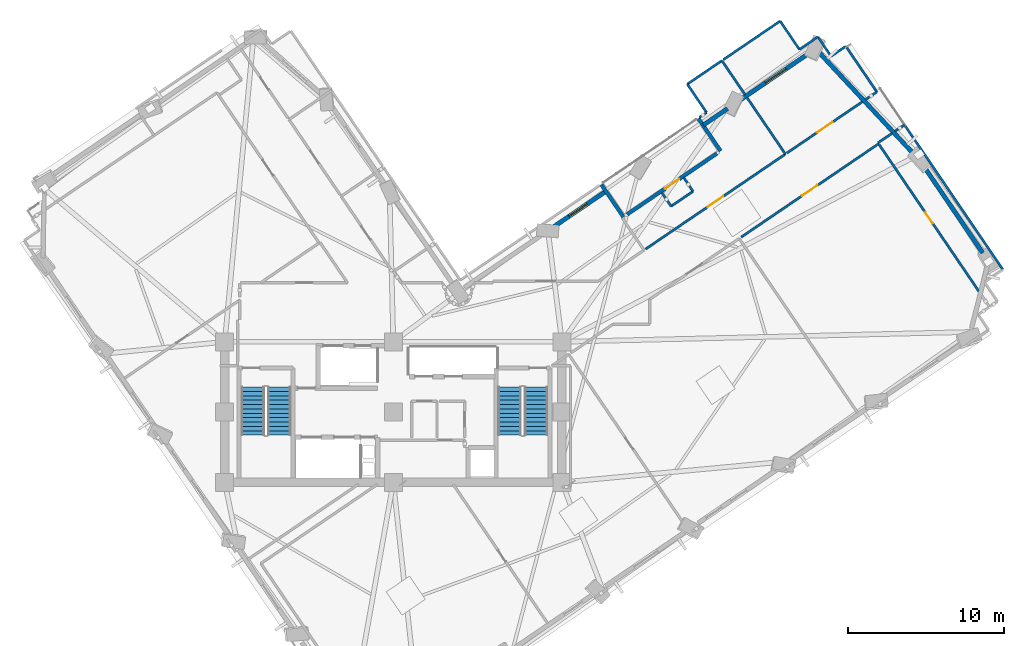
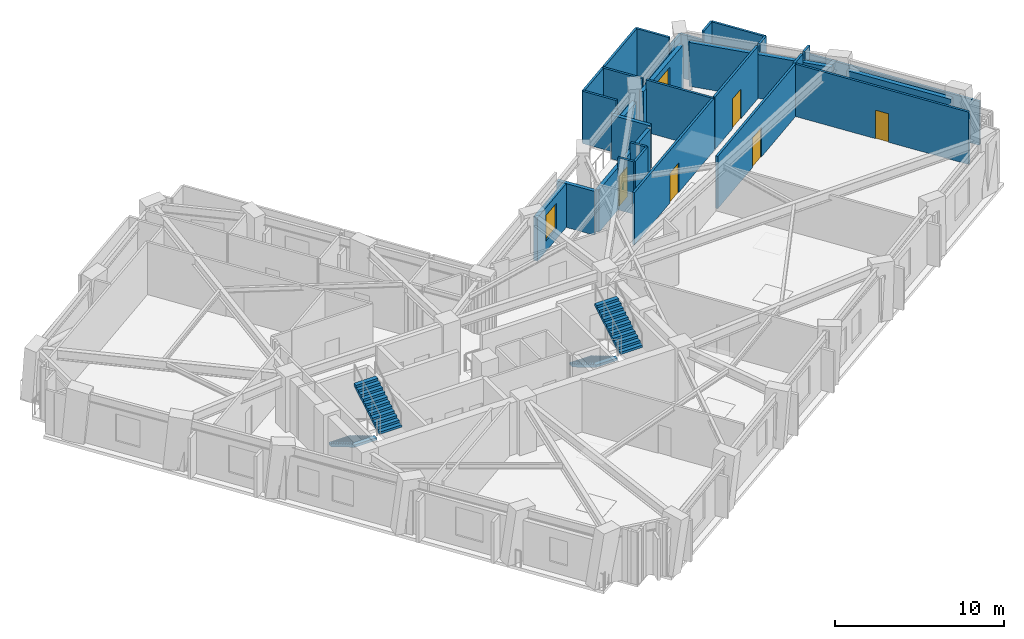
# One storey, part 11 of 16: 30 walls, 5 doors, 4 stair flights, 2 windows, 7 openings, 2 elements without a shape of their own.
"""IFC4 building model written with IfcOpenShell, lengths in metres."""

from ifc_helpers import new_model, si_unit, direction, frame, frame_2d, origin, place, context, subcontext, project, spatial, polyline, rectangle, outline, extrude, material, layer, layer_set, type_object, element, fill, aggregate, save


model = new_model("IFC4")

# Units and contexts
model_context = context("Model", 3, precision=1e-05, world=origin(), true_north=direction((0.0, 1.0)))
body_context = subcontext(model_context, "Body", "Model", "MODEL_VIEW")
ifc_project = project(units=[si_unit("LENGTHUNIT", "METRE"), si_unit("AREAUNIT", "SQUARE_METRE"), si_unit("VOLUMEUNIT", "CUBIC_METRE"), si_unit("PLANEANGLEUNIT", "RADIAN"), si_unit("MASSUNIT", "GRAM", prefix="KILO")], contexts=[model_context])

# Site, building, storey
site_placement = place(None, origin())
site = spatial("IfcSite", under=ifc_project, at=site_placement, CompositionType="ELEMENT")
building_placement = place(site_placement, origin())
building = spatial("IfcBuilding", under=site, at=building_placement, Name="Gaonmaruhae Medical Tower", CompositionType="ELEMENT")
storey_placement = place(building_placement, frame((0.0, 0.0, 169.800048828125)))
storey = spatial("IfcBuildingStorey", under=building, at=storey_placement, Name="L40", CompositionType="ELEMENT", Elevation=169.800048828125)

# Wall, opening, door
ifc_material_1 = material(Name="Precast concrete C45/55", Category="concrete")
ifc_layer_1 = layer(ifc_material_1, 0.239990234375)
ifc_layer_set_1 = layer_set([ifc_layer_1], Name="Precast concrete C45/55")
wall_type_1 = type_object("IfcWallType", Name="EW-240 Ribbon & Shelter Insulated Precast Wall", PredefinedType="SOLIDWALL", material=ifc_layer_set_1)
wall_1_placement = place(storey_placement, frame((39.771484375, 24.955810546875, 0.0), z_axis=(0.0, 0.0, 1.0), x_axis=(0.827085007345, 0.562076854731, 0.0)))
wall_1 = element("IfcWall", 1, at=wall_1_placement, inside=storey, type_object=wall_type_1, Name="L40 Recessed Terrace Enclosure Wall TERB", PredefinedType="SOLIDWALL", context=body_context, shape_type="SweptSolid", body=[
    extrude(rectangle(XDim=6.960205078125, YDim=0.239990234375, at=frame_2d((3.47998046875, 0.0))), origin(), (0.0, 0.0, 1.0), 3.06494140625),
])
opening_1_placement = place(wall_1_placement, frame((2.929931640625, 0.0, 0.0)))
opening_1 = element("IfcOpeningElement", 2, at=opening_1_placement, cuts=wall_1, Name="Opening TD-01", PredefinedType="OPENING", context=body_context, shape_type="SweptSolid", body=[
    extrude(rectangle(XDim=1.10009765625, YDim=2.14990234375, at=frame_2d((0.550048828125, 1.074951171875))), frame((0.0, 0.1298828125, 0.0), z_axis=(0.0, -1.0, 0.0), x_axis=(1.0, 0.0, 0.0)), (0.0, 0.0, 1.0), 0.260009765625),
])
ifc_material_2 = material(Name="Anodised aluminium and toughened safety glass", Category="aluminium")
door_type_1 = type_object("IfcDoorType", Name="TD-01 Terrace & Sky Garden Glazed Door 1100x2150", OperationType="NOTDEFINED", PredefinedType="DOOR", material=ifc_material_2)
door_1_placement = place(opening_1_placement, origin())
door_1 = element("IfcDoor", 3, at=door_1_placement, inside=storey, type_object=door_type_1, Name="L40 Outdoor Terrace Access Door SLB-L40-TER", OperationType="SINGLE_SWING_RIGHT", OverallHeight=2.14990234375, OverallWidth=1.10009765625, PredefinedType="DOOR", context=body_context, shape_type="SweptSolid", body=[
    extrude(rectangle(XDim=1.10009765625, YDim=2.14990234375, at=frame_2d((0.550048828125, 1.074951171875))), frame((0.0, 0.02490234375, 0.0), z_axis=(0.0, -1.0, 0.0), x_axis=(1.0, 0.0, 0.0)), (0.0, 0.0, 1.0), 0.050048828125),
])
fill(opening_1, door_1)

# Walls
wall_2_placement = place(storey_placement, frame((38.134765625, 26.8662109375, 0.0), z_axis=(0.0, 0.0, 1.0), x_axis=(0.562115011853, -0.827059074945, 0.0)))
element("IfcWall", 4, at=wall_2_placement, inside=storey, type_object=wall_type_1, Name="L40 Recessed Terrace Enclosure Wall TERL", PredefinedType="SOLIDWALL", context=body_context, shape_type="SweptSolid", body=[
    extrude(rectangle(XDim=2.5, YDim=0.239990234375, at=frame_2d((1.25, 0.0))), origin(), (0.0, 0.0, 1.0), 3.1650390625),
])
wall_3_placement = place(storey_placement, frame((45.759521484375, 29.025390625, 0.0), z_axis=(0.0, 0.0, 1.0), x_axis=(-0.562048206199, 0.827104475812, 0.0)))
element("IfcWall", 5, at=wall_3_placement, inside=storey, type_object=wall_type_1, Name="L40 Recessed Terrace Enclosure Wall TERR", PredefinedType="SOLIDWALL", context=body_context, shape_type="SweptSolid", body=[
    extrude(rectangle(XDim=2.499755859375, YDim=0.239990234375, at=frame_2d((1.25, 0.0))), origin(), (0.0, 0.0, 1.0), 3.1650390625),
])
ifc_layer_2 = layer(ifc_material_1, 0.280029296875)
ifc_layer_set_2 = layer_set([ifc_layer_2], Name="Precast concrete C45/55")
wall_type_2 = type_object("IfcWallType", Name="EW-280 Upper Precast Masonry-Frame Facade Wall", PredefinedType="SOLIDWALL", material=ifc_layer_set_2)
wall_4_placement = place(storey_placement, frame((58.712646484375, 28.144287109375, 0.0), z_axis=(0.0, 0.0, 1.0), x_axis=(0.562091314576, -0.827075180427, 0.0)))
element("IfcWall", 6, at=wall_4_placement, inside=storey, type_object=wall_type_2, Name="L40 Precast Masonry-Frame Wall E01-E02", PredefinedType="SOLIDWALL", context=body_context, shape_type="SweptSolid", body=[
    extrude(rectangle(XDim=6.840087890625, YDim=0.280029296875, at=frame_2d((3.419921875, 0.0))), origin(), (0.0, 0.0, 1.0), 3.1650390625),
])
wall_5_placement = place(storey_placement, frame((52.07177734375, 35.335205078125, 0.0), z_axis=(0.0, 0.0, 1.0), x_axis=(0.681878154304, -0.731465776837, 0.0)))
element("IfcWall", 7, at=wall_5_placement, inside=storey, type_object=wall_type_2, Name="L40 Precast Masonry-Frame Wall E02-E03", PredefinedType="SOLIDWALL", context=body_context, shape_type="SweptSolid", body=[
    extrude(rectangle(XDim=8.837646484375, YDim=0.280029296875, at=frame_2d((4.4189453125, 0.0))), origin(), (0.0, 0.0, 1.0), 3.1650390625),
])

# Wall, opening, window
wall_6_placement = place(storey_placement, frame((47.005615234375, 32.2783203125, 0.0), z_axis=(0.0, 0.0, 1.0), x_axis=(0.827076028717, 0.562090066379, 0.0)))
wall_6 = element("IfcWall", 8, at=wall_6_placement, inside=storey, type_object=wall_type_2, Name="L40 Precast Masonry-Frame Wall E03-EN01", PredefinedType="SOLIDWALL", context=body_context, shape_type="SweptSolid", body=[
    extrude(rectangle(XDim=5.404541015625, YDim=0.280029296875, at=frame_2d((2.7021484375, 0.0))), origin(), (0.0, 0.0, 1.0), 3.1650390625),
])
opening_2_placement = place(wall_6_placement, frame((1.98291015625, 0.0, 0.75)))
opening_2 = element("IfcOpeningElement", 9, at=opening_2_placement, cuts=wall_6, Name="Opening WN-01", PredefinedType="OPENING", context=body_context, shape_type="SweptSolid", body=[
    extrude(rectangle(XDim=1.60009765625, YDim=1.949951171875, at=frame_2d((0.800048828125, 0.97509765625))), frame((0.0, 0.14990234375, 0.0), z_axis=(0.0, -1.0, 0.0), x_axis=(1.0, 0.0, 0.0)), (0.0, 0.0, 1.0), 0.300048828125),
])
ifc_material_3 = material(Name="Anodised aluminium and Low-E double glazing", Category="aluminium")
window_type_1 = type_object("IfcWindowType", Name="WN-01 Ward Punched Acoustic Window 1600x1950", PartitioningType="SINGLE_PANEL", PredefinedType="WINDOW", material=ifc_material_3)
window_1_placement = place(opening_2_placement, origin())
window_1 = element("IfcWindow", 10, at=window_1_placement, inside=storey, type_object=window_type_1, Name="L40 Modular Facade Window E03", OverallHeight=1.949951171875, OverallWidth=1.60009765625, PartitioningType="SINGLE_PANEL", PredefinedType="WINDOW", context=body_context, shape_type="SweptSolid", body=[
    extrude(rectangle(XDim=1.60009765625, YDim=1.949951171875, at=frame_2d((0.800048828125, 0.97509765625))), frame((0.0, 0.030029296875, 0.0), z_axis=(0.0, -1.0, 0.0), x_axis=(1.0, 0.0, 0.0)), (0.0, 0.0, 1.0), 0.06005859375),
])
fill(opening_2, window_1)

# Wall
wall_7_placement = place(storey_placement, frame((44.65771484375, 30.6826171875, 0.0), z_axis=(0.0, 0.0, 1.0), x_axis=(0.82709578115, 0.562061000964, 0.0)))
element("IfcWall", 11, at=wall_7_placement, inside=storey, type_object=wall_type_2, Name="L40 Precast Masonry-Frame Wall EN01-EN02", PredefinedType="SOLIDWALL", context=body_context, shape_type="SweptSolid", body=[
    extrude(rectangle(XDim=1.87744140625, YDim=0.280029296875, at=frame_2d((0.938720703125, 0.0))), origin(), (0.0, 0.0, 1.0), 3.06494140625),
])

# Wall, opening, window
wall_8_placement = place(storey_placement, frame((35.109375, 24.193603515625, 0.0), z_axis=(0.0, 0.0, 1.0), x_axis=(0.827087163795, 0.562073681545, 0.0)))
wall_8 = element("IfcWall", 12, at=wall_8_placement, inside=storey, type_object=wall_type_2, Name="L40 Precast Masonry-Frame Wall EN02-EN03", PredefinedType="SOLIDWALL", context=body_context, shape_type="SweptSolid", body=[
    extrude(rectangle(XDim=3.984375, YDim=0.280029296875, at=frame_2d((1.9921875, 0.0))), origin(), (0.0, 0.0, 1.0), 3.1650390625),
])
opening_3_placement = place(wall_8_placement, frame((1.145263671875, 0.0, 0.75)))
opening_3 = element("IfcOpeningElement", 13, at=opening_3_placement, cuts=wall_8, Name="Opening WN-03", PredefinedType="OPENING", context=body_context, shape_type="SweptSolid", body=[
    extrude(rectangle(XDim=1.39990234375, YDim=1.85009765625, at=frame_2d((0.699951171875, 0.925048828125))), frame((0.0, 0.14990234375, 0.0), z_axis=(0.0, -1.0, 0.0), x_axis=(1.0, 0.0, 0.0)), (0.0, 0.0, 1.0), 0.300048828125),
])
window_type_2 = type_object("IfcWindowType", Name="WN-03 Isolation Ward Punched Window 1400x1850", PartitioningType="SINGLE_PANEL", PredefinedType="WINDOW", material=ifc_material_3)
window_2_placement = place(opening_3_placement, origin())
window_2 = element("IfcWindow", 14, at=window_2_placement, inside=storey, type_object=window_type_2, Name="L40 Modular Facade Window EN02", OverallHeight=1.85009765625, OverallWidth=1.39990234375, PartitioningType="SINGLE_PANEL", PredefinedType="WINDOW", context=body_context, shape_type="SweptSolid", body=[
    extrude(rectangle(XDim=1.39990234375, YDim=1.85009765625, at=frame_2d((0.699951171875, 0.925048828125))), frame((0.0, 0.030029296875, 0.0), z_axis=(0.0, -1.0, 0.0), x_axis=(1.0, 0.0, 0.0)), (0.0, 0.0, 1.0), 0.06005859375),
])
fill(opening_3, window_2)

# Wall, opening, door
ifc_material_4 = material(Name="Gypsum board partition", Category="gypsum")
ifc_layer_3 = layer(ifc_material_4, 0.14990234375)
ifc_layer_set_3 = layer_set([ifc_layer_3], Name="Gypsum board partition")
wall_type_3 = type_object("IfcWallType", Name="PW-150 Rated Clinical Corridor Partition", PredefinedType="PARTITIONING", material=ifc_layer_set_3)
wall_9_placement = place(storey_placement, frame((47.083984375, 23.5048828125, 0.0), z_axis=(0.0, 0.0, 1.0), x_axis=(0.827050244117, 0.562128004734, 0.0)))
wall_9 = element("IfcWall", 15, at=wall_9_placement, inside=storey, type_object=wall_type_3, Name="L40 Interior Partition L40-SUP04-29", PredefinedType="PARTITIONING", context=body_context, shape_type="SweptSolid", body=[
    extrude(rectangle(XDim=10.640380859375, YDim=0.14990234375, at=frame_2d((5.3203125, 0.0))), origin(), (0.0, 0.0, 1.0), 3.780029296875),
])
opening_4_placement = place(wall_9_placement, frame((4.72021484375, 0.0, 0.0)))
opening_4 = element("IfcOpeningElement", 16, at=opening_4_placement, cuts=wall_9, Name="Opening CD-02", PredefinedType="OPENING", context=body_context, shape_type="SweptSolid", body=[
    extrude(rectangle(XDim=1.199951171875, YDim=2.14990234375, at=frame_2d((0.60009765625, 1.074951171875))), frame((0.0, 0.0849609375, 0.0), z_axis=(0.0, -1.0, 0.0), x_axis=(1.0, 0.0, 0.0)), (0.0, 0.0, 1.0), 0.169921875),
])
ifc_material_5 = material(Name="Antimicrobial laminate timber fire door", Category="wood")
door_type_2 = type_object("IfcDoorType", Name="CD-02 Clinical Treatment & Procedure Door 1200x2150", OperationType="NOTDEFINED", PredefinedType="DOOR", material=ifc_material_5)
door_2_placement = place(opening_4_placement, origin())
door_2 = element("IfcDoor", 17, at=door_2_placement, inside=storey, type_object=door_type_2, Name="L40 Clinical Biomedical Charting Office Door", OperationType="SINGLE_SWING_RIGHT", OverallHeight=2.14990234375, OverallWidth=1.199951171875, PredefinedType="DOOR", context=body_context, shape_type="SweptSolid", body=[
    extrude(rectangle(XDim=1.199951171875, YDim=2.14990234375, at=frame_2d((0.60009765625, 1.074951171875))), frame((0.0, 0.02490234375, 0.0), z_axis=(0.0, -1.0, 0.0), x_axis=(1.0, 0.0, 0.0)), (0.0, 0.0, 1.0), 0.050048828125),
])
fill(opening_4, door_2)

wall_10_placement = place(storey_placement, frame((55.912109375, 29.445068359375, 0.0), z_axis=(0.0, 0.0, 1.0), x_axis=(0.562088516887, -0.827077081767, 0.0)))
wall_10 = element("IfcWall", 18, at=wall_10_placement, inside=storey, type_object=wall_type_3, Name="L40 Interior Partition L40-SUP04-30", PredefinedType="PARTITIONING", context=body_context, shape_type="SweptSolid", body=[
    extrude(rectangle(XDim=11.396728515625, YDim=0.14990234375, at=frame_2d((5.6982421875, 0.0))), origin(), (0.0, 0.0, 1.0), 3.780029296875),
])
opening_5_placement = place(wall_10_placement, frame((5.268310546875, 0.0, 0.0)))
opening_5 = element("IfcOpeningElement", 19, at=opening_5_placement, cuts=wall_10, Name="Opening AD-01", PredefinedType="OPENING", context=body_context, shape_type="SweptSolid", body=[
    extrude(rectangle(XDim=0.860107421875, YDim=2.06005859375, at=frame_2d((0.43017578125, 1.030029296875))), frame((0.0, 0.0849609375, 0.0), z_axis=(0.0, -1.0, 0.0), x_axis=(1.0, 0.0, 0.0)), (0.0, 0.0, 1.0), 0.169921875),
])
ifc_material_6 = material(Name="Powder-coated steel access door", Category="steel")
door_type_3 = type_object("IfcDoorType", Name="AD-01 Riser & Closet Access Fire Door 860x2060", OperationType="NOTDEFINED", PredefinedType="DOOR", material=ifc_material_6)
door_3_placement = place(opening_5_placement, origin())
door_3 = element("IfcDoor", 20, at=door_3_placement, inside=storey, type_object=door_type_3, Name="L40 Biomedical Mobile Equipment Bay Sliding Door", OperationType="SLIDING_TO_LEFT", OverallHeight=2.06005859375, OverallWidth=0.860107421875, PredefinedType="DOOR", context=body_context, shape_type="SweptSolid", body=[
    extrude(rectangle(XDim=0.860107421875, YDim=2.06005859375, at=frame_2d((0.43017578125, 1.030029296875))), frame((0.0, 0.02490234375, 0.0), z_axis=(0.0, -1.0, 0.0), x_axis=(1.0, 0.0, 0.0)), (0.0, 0.0, 1.0), 0.050048828125),
])
fill(opening_5, door_3)

# Walls
wall_11_placement = place(storey_placement, frame((42.0, 26.35595703125, 0.0), z_axis=(0.0, 0.0, 1.0), x_axis=(0.561886022223, -0.827214662606, 0.0)))
element("IfcWall", 21, at=wall_11_placement, inside=storey, type_object=wall_type_3, Name="L40 Interior Partition L40-IE02-70", PredefinedType="PARTITIONING", context=body_context, shape_type="SweptSolid", body=[
    extrude(rectangle(XDim=1.055419921875, YDim=0.14990234375, at=frame_2d((0.52783203125, 0.0))), origin(), (0.0, 0.0, 1.0), 3.780029296875),
])
wall_12_placement = place(storey_placement, frame((42.593017578125, 25.48291015625, 0.0), z_axis=(0.0, 0.0, 1.0), x_axis=(0.826934514116, 0.562298238805, 0.0)))
element("IfcWall", 22, at=wall_12_placement, inside=storey, type_object=wall_type_3, Name="L40 Interior Partition L40-IE02-71", PredefinedType="PARTITIONING", context=body_context, shape_type="SweptSolid", body=[
    extrude(rectangle(XDim=1.7001953125, YDim=0.14990234375, at=frame_2d((0.85009765625, 0.0))), origin(), (0.0, 0.0, 1.0), 3.780029296875),
])
wall_13_placement = place(storey_placement, frame((43.9990234375, 26.43896484375, 0.0), z_axis=(0.0, 0.0, 1.0), x_axis=(-0.56231635348, 0.826922196225, 0.0)))
element("IfcWall", 23, at=wall_13_placement, inside=storey, type_object=wall_type_3, Name="L40 Interior Partition L40-IE02-72", PredefinedType="PARTITIONING", context=body_context, shape_type="SweptSolid", body=[
    extrude(rectangle(XDim=1.0546875, YDim=0.14990234375, at=frame_2d((0.52734375, 0.0))), origin(), (0.0, 0.0, 1.0), 3.780029296875),
])
wall_14_placement = place(storey_placement, frame((44.403076171875, 31.174072265625, 0.0), z_axis=(0.0, 0.0, 1.0), x_axis=(0.826450964558, 0.563008706133, 0.0)))
element("IfcWall", 24, at=wall_14_placement, inside=storey, type_object=wall_type_3, Name="L40 Interior Partition L40-IE02-73", PredefinedType="PARTITIONING", context=body_context, shape_type="SweptSolid", body=[
    extrude(rectangle(XDim=0.55419921875, YDim=0.14990234375, at=frame_2d((0.277099609375, 0.0))), origin(), (0.0, 0.0, 1.0), 3.1650390625),
])
wall_15_placement = place(storey_placement, frame((44.861083984375, 31.486083984375, 0.0), z_axis=(0.0, 0.0, 1.0), x_axis=(-0.562082256039, 0.827081336657, 0.0)))
element("IfcWall", 25, at=wall_15_placement, inside=storey, type_object=wall_type_3, Name="L40 Interior Partition L40-IE02-74", PredefinedType="PARTITIONING", context=body_context, shape_type="SweptSolid", body=[
    extrude(rectangle(XDim=2.19921875, YDim=0.14990234375, at=frame_2d((1.099609375, 0.0))), origin(), (0.0, 0.0, 1.0), 3.780029296875),
])
wall_16_placement = place(storey_placement, frame((43.625, 33.304931640625, 0.0), z_axis=(0.0, 0.0, 1.0), x_axis=(0.8270212231, 0.562170700537, 0.0)))
element("IfcWall", 26, at=wall_16_placement, inside=storey, type_object=wall_type_3, Name="L40 Interior Partition L40-IE02-75", PredefinedType="PARTITIONING", context=body_context, shape_type="SweptSolid", body=[
    extrude(rectangle(XDim=2.684326171875, YDim=0.14990234375, at=frame_2d((1.34228515625, 0.0))), origin(), (0.0, 0.0, 1.0), 3.780029296875),
])
wall_17_placement = place(storey_placement, frame((45.844970703125, 34.81396484375, 0.0), z_axis=(0.0, 0.0, 1.0), x_axis=(0.562119906759, -0.827055748076, 0.0)))
element("IfcWall", 27, at=wall_17_placement, inside=storey, type_object=wall_type_3, Name="L40 Interior Partition L40-IE02-76", PredefinedType="PARTITIONING", context=body_context, shape_type="SweptSolid", body=[
    extrude(rectangle(XDim=2.634521484375, YDim=0.14990234375, at=frame_2d((1.3173828125, 0.0))), origin(), (0.0, 0.0, 1.0), 3.780029296875),
])
wall_18_placement = place(storey_placement, frame((47.455078125, 32.445068359375, 0.0), z_axis=(0.0, 0.0, 1.0), x_axis=(0.561992532426, -0.827142305469, 0.0)))
element("IfcWall", 28, at=wall_18_placement, inside=storey, type_object=wall_type_3, Name="L40 Interior Partition L40-IE02-77", PredefinedType="PARTITIONING", context=body_context, shape_type="SweptSolid", body=[
    extrude(rectangle(XDim=4.37548828125, YDim=0.14990234375, at=frame_2d((2.187744140625, 0.0))), origin(), (0.0, 0.0, 1.0), 3.780029296875),
])

# Wall, opening, door
wall_19_placement = place(storey_placement, frame((49.9140625, 28.825927734375, 0.0), z_axis=(0.0, 0.0, 1.0), x_axis=(-0.827105946098, -0.562046042535, 0.0)))
wall_19 = element("IfcWall", 29, at=wall_19_placement, inside=storey, type_object=wall_type_3, Name="L40 Interior Partition L40-IE02-78", PredefinedType="PARTITIONING", context=body_context, shape_type="SweptSolid", body=[
    extrude(rectangle(XDim=10.828125, YDim=0.14990234375, at=frame_2d((5.4140625, 0.0))), origin(), (0.0, 0.0, 1.0), 3.780029296875),
])
opening_6_placement = place(wall_19_placement, frame((4.814208984375, 0.0, 0.0)))
opening_6 = element("IfcOpeningElement", 30, at=opening_6_placement, cuts=wall_19, Name="Opening CD-02", PredefinedType="OPENING", context=body_context, shape_type="SweptSolid", body=[
    extrude(rectangle(XDim=1.199951171875, YDim=2.14990234375, at=frame_2d((0.60009765625, 1.074951171875))), frame((0.0, 0.0849609375, 0.0), z_axis=(0.0, -1.0, 0.0), x_axis=(1.0, 0.0, 0.0)), (0.0, 0.0, 1.0), 0.169921875),
])
door_4_placement = place(opening_6_placement, origin())
door_4 = element("IfcDoor", 31, at=door_4_placement, inside=storey, type_object=door_type_2, Name="L40 Acute Treatment Examination Room Door", OperationType="SINGLE_SWING_LEFT", OverallHeight=2.14990234375, OverallWidth=1.199951171875, PredefinedType="DOOR", context=body_context, shape_type="SweptSolid", body=[
    extrude(rectangle(XDim=1.199951171875, YDim=2.14990234375, at=frame_2d((0.60009765625, 1.074951171875))), frame((0.0, 0.02490234375, 0.0), z_axis=(0.0, -1.0, 0.0), x_axis=(1.0, 0.0, 0.0)), (0.0, 0.0, 1.0), 0.050048828125),
])
fill(opening_6, door_4)

# Walls
wall_20_placement = place(storey_placement, frame((50.81591796875, 35.532958984375, 0.0), z_axis=(0.0, 0.0, 1.0), x_axis=(0.826993262666, 0.562211831523, 0.0)))
element("IfcWall", 32, at=wall_20_placement, inside=storey, type_object=wall_type_3, Name="L40 Interior Partition L40-IE03-79", PredefinedType="PARTITIONING", context=body_context, shape_type="SweptSolid", body=[
    extrude(rectangle(XDim=1.42822265625, YDim=0.14990234375, at=frame_2d((0.714111328125, 0.0))), origin(), (0.0, 0.0, 1.0), 3.1650390625),
])
wall_21_placement = place(storey_placement, frame((51.9970703125, 36.3359375, 0.0), z_axis=(0.0, 0.0, 1.0), x_axis=(0.561927157826, -0.82718671973, 0.0)))
element("IfcWall", 33, at=wall_21_placement, inside=storey, type_object=wall_type_3, Name="L40 Interior Partition L40-IE03-80", PredefinedType="PARTITIONING", context=body_context, shape_type="SweptSolid", body=[
    extrude(rectangle(XDim=1.500244140625, YDim=0.14990234375, at=frame_2d((0.75, 0.0))), origin(), (0.0, 0.0, 1.0), 3.1650390625),
])
wall_22_placement = place(storey_placement, frame((52.840087890625, 35.094970703125, 0.0), z_axis=(0.0, 0.0, 1.0), x_axis=(0.826942432103, 0.562286594174, 0.0)))
element("IfcWall", 34, at=wall_22_placement, inside=storey, type_object=wall_type_3, Name="L40 Interior Partition L40-IE03-81", PredefinedType="PARTITIONING", context=body_context, shape_type="SweptSolid", body=[
    extrude(rectangle(XDim=1.14013671875, YDim=0.14990234375, at=frame_2d((0.570068359375, 0.0))), origin(), (0.0, 0.0, 1.0), 3.780029296875),
])
wall_23_placement = place(storey_placement, frame((53.782958984375, 35.736083984375, 0.0), z_axis=(0.0, 0.0, 1.0), x_axis=(0.562110060156, -0.82706244037, 0.0)))
element("IfcWall", 35, at=wall_23_placement, inside=storey, type_object=wall_type_3, Name="L40 Interior Partition L40-IE03-82", PredefinedType="PARTITIONING", context=body_context, shape_type="SweptSolid", body=[
    extrude(rectangle(XDim=3.540283203125, YDim=0.14990234375, at=frame_2d((1.77001953125, 0.0))), origin(), (0.0, 0.0, 1.0), 3.780029296875),
])
wall_24_placement = place(storey_placement, frame((55.77294921875, 32.80810546875, 0.0), z_axis=(0.0, 0.0, 1.0), x_axis=(-0.82706078244, -0.56211249955, 0.0)))
element("IfcWall", 36, at=wall_24_placement, inside=storey, type_object=wall_type_3, Name="L40 Interior Partition L40-IE03-83", PredefinedType="PARTITIONING", context=body_context, shape_type="SweptSolid", body=[
    extrude(rectangle(XDim=0.879150390625, YDim=0.14990234375, at=frame_2d((0.439453125, 0.0))), origin(), (0.0, 0.0, 1.0), 3.780029296875),
])

# Wall, opening, door
wall_25_placement = place(storey_placement, frame((54.85302734375, 32.18310546875, 0.0), z_axis=(0.0, 0.0, 1.0), x_axis=(-0.82702347763, -0.562167383836, 0.0)))
wall_25 = element("IfcWall", 37, at=wall_25_placement, inside=storey, type_object=wall_type_3, Name="L40 Interior Partition L40-IE03-84", PredefinedType="PARTITIONING", context=body_context, shape_type="SweptSolid", body=[
    extrude(rectangle(XDim=5.8525390625, YDim=0.14990234375, at=frame_2d((2.92626953125, 0.0))), origin(), (0.0, 0.0, 1.0), 3.780029296875),
])
opening_7_placement = place(wall_25_placement, frame((2.326171875, 0.0, 0.0)))
opening_7 = element("IfcOpeningElement", 38, at=opening_7_placement, cuts=wall_25, Name="Opening CD-02", PredefinedType="OPENING", context=body_context, shape_type="SweptSolid", body=[
    extrude(rectangle(XDim=1.199951171875, YDim=2.14990234375, at=frame_2d((0.60009765625, 1.074951171875))), frame((0.0, 0.0849609375, 0.0), z_axis=(0.0, -1.0, 0.0), x_axis=(1.0, 0.0, 0.0)), (0.0, 0.0, 1.0), 0.169921875),
])
door_5_placement = place(opening_7_placement, origin())
door_5 = element("IfcDoor", 39, at=door_5_placement, inside=storey, type_object=door_type_2, Name="L40 Clean Medication Preparation Room Door", OperationType="SINGLE_SWING_LEFT", OverallHeight=2.14990234375, OverallWidth=1.199951171875, PredefinedType="DOOR", context=body_context, shape_type="SweptSolid", body=[
    extrude(rectangle(XDim=1.199951171875, YDim=2.14990234375, at=frame_2d((0.60009765625, 1.074951171875))), frame((0.0, 0.02490234375, 0.0), z_axis=(0.0, -1.0, 0.0), x_axis=(1.0, 0.0, 0.0)), (0.0, 0.0, 1.0), 0.050048828125),
])
fill(opening_7, door_5)

# Walls
wall_26_placement = place(storey_placement, frame((45.944091796875, 34.882080078125, 0.0), z_axis=(0.0, 0.0, 1.0), x_axis=(0.827190874414, 0.561921041861, 0.0)))
element("IfcWall", 40, at=wall_26_placement, inside=storey, type_object=wall_type_3, Name="L40 Interior Partition L40-IE03-85", PredefinedType="PARTITIONING", context=body_context, shape_type="SweptSolid", body=[
    extrude(rectangle(XDim=4.3955078125, YDim=0.14990234375, at=frame_2d((2.19775390625, 0.0))), origin(), (0.0, 0.0, 1.0), 3.780029296875),
])
wall_27_placement = place(storey_placement, frame((49.580078125, 37.35205078125, 0.0), z_axis=(0.0, 0.0, 1.0), x_axis=(0.561954699262, -0.827168009522, 0.0)))
element("IfcWall", 41, at=wall_27_placement, inside=storey, type_object=wall_type_3, Name="L40 Interior Partition L40-IE03-86", PredefinedType="PARTITIONING", context=body_context, shape_type="SweptSolid", body=[
    extrude(rectangle(XDim=2.19921875, YDim=0.14990234375, at=frame_2d((1.099609375, 0.0))), origin(), (0.0, 0.0, 1.0), 3.780029296875),
])
wall_28_placement = place(storey_placement, frame((55.844970703125, 29.5439453125, 0.0), z_axis=(0.0, 0.0, 1.0), x_axis=(0.827005868355, 0.562193288564, 0.0)))
element("IfcWall", 42, at=wall_28_placement, inside=storey, type_object=wall_type_3, Name="L40 Interior Partition L40-RM03-105", PredefinedType="PARTITIONING", context=body_context, shape_type="SweptSolid", body=[
    extrude(rectangle(XDim=1.0869140625, YDim=0.14990234375, at=frame_2d((0.54345703125, 0.0))), origin(), (0.0, 0.0, 1.0), 3.780029296875),
])
wall_29_placement = place(storey_placement, frame((56.93603515625, 30.284912109375, 0.0), z_axis=(0.0, 0.0, 1.0), x_axis=(0.826914168076, 0.562328159205, 0.0)))
element("IfcWall", 43, at=wall_29_placement, inside=storey, type_object=wall_type_3, Name="L40 Interior Partition L40-RM03-106", PredefinedType="PARTITIONING", context=body_context, shape_type="SweptSolid", body=[
    extrude(rectangle(XDim=0.736328125, YDim=0.14990234375, at=frame_2d((0.3681640625, 0.0))), origin(), (0.0, 0.0, 1.0), 3.780029296875),
])
wall_30_placement = place(storey_placement, frame((57.544921875, 30.698974609375, 0.0), z_axis=(0.0, 0.0, 1.0), x_axis=(0.562049902356, -0.827103323208, 0.0)))
element("IfcWall", 44, at=wall_30_placement, inside=storey, type_object=wall_type_3, Name="L40 Interior Partition L40-RM03-107", PredefinedType="PARTITIONING", context=body_context, shape_type="SweptSolid", body=[
    extrude(rectangle(XDim=11.219970703125, YDim=0.14990234375, at=frame_2d((5.60986328125, 0.0))), origin(), (0.0, 0.0, 1.0), 3.1650390625),
])

# Stair, stair flights
ifc_material_7 = material(Name="Concrete C40/50", Category="concrete")
stair_type = type_object("IfcStairType", Name="ST-T1 Primary Core Escape Dogleg Stair", PredefinedType="TWO_QUARTER_TURN_STAIR", material=ifc_material_7)
stair_1_placement = place(storey_placement, origin())
stair_1 = element("IfcStair", 45, at=stair_1_placement, inside=storey, type_object=stair_type, Name="L40 Protected Escape Stair ST-01", PredefinedType="TWO_QUARTER_TURN_STAIR")
stair_flight_type = type_object("IfcStairFlightType", Name="SF-T1 Primary Core Precast Stair Flight", PredefinedType="STRAIGHT", material=ifc_material_7)
stair_flight_1_placement = place(storey_placement, frame((15.800048828125, 13.89990234375, 0.0), z_axis=(0.0, 0.0, 1.0), x_axis=(0.0, -1.0, 0.0)))
stair_flight_1 = element("IfcStairFlight", 46, at=stair_flight_1_placement, type_object=stair_flight_type, Name="ST-01 flight 1", NumberOfRisers=12, NumberOfTreads=11, PredefinedType="STRAIGHT", RiserHeight=0.166666667, TreadLength=0.28, context=body_context, shape_type="SweptSolid", body=[
    extrude(outline(polyline([(0.0, 0.0), (0.0, 0.166748046875), (0.280029296875, 0.166748046875), (0.280029296875, 0.333251953125), (0.56005859375, 0.333251953125), (0.56005859375, 0.5), (0.840087890625, 0.5), (0.840087890625, 0.666748046875), (1.1201171875, 0.666748046875), (1.1201171875, 0.833251953125), (1.39990234375, 0.833251953125), (1.39990234375, 1.0), (1.679931640625, 1.0), (1.679931640625, 1.166748046875), (1.9599609375, 1.166748046875), (1.9599609375, 1.333251953125), (2.239990234375, 1.333251953125), (2.239990234375, 1.5), (2.52001953125, 1.5), (2.52001953125, 1.666748046875), (2.800048828125, 1.666748046875), (2.800048828125, 1.833251953125), (3.080078125, 1.833251953125), (3.080078125, 2.0), (3.080078125, 1.658935546875), (0.29296875, 0.0), (0.0, 0.0)])), frame((0.0, 0.75, 0.0), z_axis=(0.0, -1.0, 0.0), x_axis=(1.0, 0.0, 0.0)), (0.0, 0.0, 1.0), 1.5),
])
stair_flight_2_placement = place(storey_placement, frame((17.5, 10.820068359375, 2.0), z_axis=(0.0, 0.0, 1.0), x_axis=(0.0, 1.0, 0.0)))
stair_flight_2 = element("IfcStairFlight", 47, at=stair_flight_2_placement, type_object=stair_flight_type, Name="ST-01 flight 2", NumberOfRisers=12, NumberOfTreads=11, PredefinedType="STRAIGHT", RiserHeight=0.166666667, TreadLength=0.28, context=body_context, shape_type="SweptSolid", body=[
    extrude(outline(polyline([(0.0, 0.0), (0.0, 0.166748046875), (0.280029296875, 0.166748046875), (0.280029296875, 0.333251953125), (0.56005859375, 0.333251953125), (0.56005859375, 0.5), (0.840087890625, 0.5), (0.840087890625, 0.666748046875), (1.1201171875, 0.666748046875), (1.1201171875, 0.833251953125), (1.39990234375, 0.833251953125), (1.39990234375, 1.0), (1.679931640625, 1.0), (1.679931640625, 1.166748046875), (1.9599609375, 1.166748046875), (1.9599609375, 1.333251953125), (2.239990234375, 1.333251953125), (2.239990234375, 1.5), (2.52001953125, 1.5), (2.52001953125, 1.666748046875), (2.800048828125, 1.666748046875), (2.800048828125, 1.833251953125), (3.080078125, 1.833251953125), (3.080078125, 2.0), (3.080078125, 1.658935546875), (0.29296875, 0.0), (0.0, 0.0)])), frame((0.0, 0.75, 0.0), z_axis=(0.0, -1.0, 0.0), x_axis=(1.0, 0.0, 0.0)), (0.0, 0.0, 1.0), 1.5),
])
aggregate(stair_1, [stair_flight_1, stair_flight_2])

stair_2_placement = place(storey_placement, origin())
stair_2 = element("IfcStair", 48, at=stair_2_placement, inside=storey, type_object=stair_type, Name="L40 Protected Escape Stair ST-02", PredefinedType="TWO_QUARTER_TURN_STAIR")
stair_flight_3_placement = place(storey_placement, frame((32.25, 13.89990234375, 0.0), z_axis=(0.0, 0.0, 1.0), x_axis=(0.0, -1.0, 0.0)))
stair_flight_3 = element("IfcStairFlight", 49, at=stair_flight_3_placement, type_object=stair_flight_type, Name="ST-02 flight 1", NumberOfRisers=12, NumberOfTreads=11, PredefinedType="STRAIGHT", RiserHeight=0.166666667, TreadLength=0.28, context=body_context, shape_type="SweptSolid", body=[
    extrude(outline(polyline([(0.0, 0.0), (0.0, 0.166748046875), (0.280029296875, 0.166748046875), (0.280029296875, 0.333251953125), (0.56005859375, 0.333251953125), (0.56005859375, 0.5), (0.840087890625, 0.5), (0.840087890625, 0.666748046875), (1.1201171875, 0.666748046875), (1.1201171875, 0.833251953125), (1.39990234375, 0.833251953125), (1.39990234375, 1.0), (1.679931640625, 1.0), (1.679931640625, 1.166748046875), (1.9599609375, 1.166748046875), (1.9599609375, 1.333251953125), (2.239990234375, 1.333251953125), (2.239990234375, 1.5), (2.52001953125, 1.5), (2.52001953125, 1.666748046875), (2.800048828125, 1.666748046875), (2.800048828125, 1.833251953125), (3.080078125, 1.833251953125), (3.080078125, 2.0), (3.080078125, 1.658935546875), (0.29296875, 0.0), (0.0, 0.0)])), frame((0.0, 0.75, 0.0), z_axis=(0.0, -1.0, 0.0), x_axis=(1.0, 0.0, 0.0)), (0.0, 0.0, 1.0), 1.5),
])
stair_flight_4_placement = place(storey_placement, frame((33.949951171875, 10.820068359375, 2.0), z_axis=(0.0, 0.0, 1.0), x_axis=(0.0, 1.0, 0.0)))
stair_flight_4 = element("IfcStairFlight", 50, at=stair_flight_4_placement, type_object=stair_flight_type, Name="ST-02 flight 2", NumberOfRisers=12, NumberOfTreads=11, PredefinedType="STRAIGHT", RiserHeight=0.166666667, TreadLength=0.28, context=body_context, shape_type="SweptSolid", body=[
    extrude(outline(polyline([(0.0, 0.0), (0.0, 0.166748046875), (0.280029296875, 0.166748046875), (0.280029296875, 0.333251953125), (0.56005859375, 0.333251953125), (0.56005859375, 0.5), (0.840087890625, 0.5), (0.840087890625, 0.666748046875), (1.1201171875, 0.666748046875), (1.1201171875, 0.833251953125), (1.39990234375, 0.833251953125), (1.39990234375, 1.0), (1.679931640625, 1.0), (1.679931640625, 1.166748046875), (1.9599609375, 1.166748046875), (1.9599609375, 1.333251953125), (2.239990234375, 1.333251953125), (2.239990234375, 1.5), (2.52001953125, 1.5), (2.52001953125, 1.666748046875), (2.800048828125, 1.666748046875), (2.800048828125, 1.833251953125), (3.080078125, 1.833251953125), (3.080078125, 2.0), (3.080078125, 1.658935546875), (0.29296875, 0.0), (0.0, 0.0)])), frame((0.0, 0.75, 0.0), z_axis=(0.0, -1.0, 0.0), x_axis=(1.0, 0.0, 0.0)), (0.0, 0.0, 1.0), 1.5),
])
aggregate(stair_2, [stair_flight_3, stair_flight_4])

save(model, "model.ifc")
